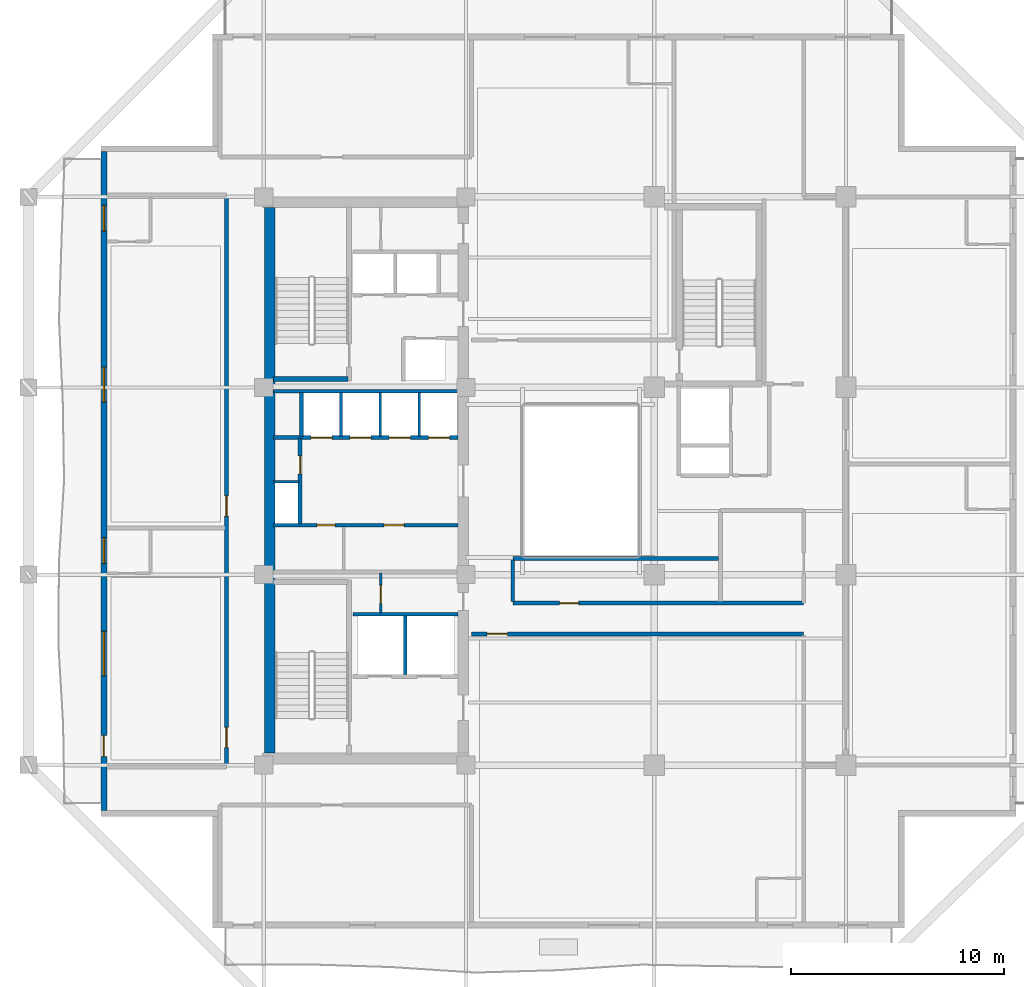
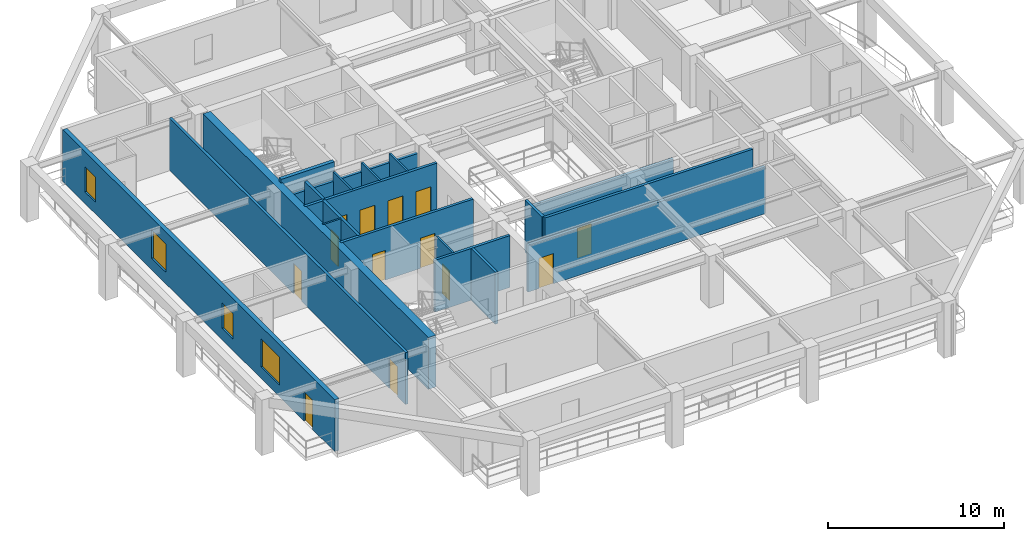
# One storey, part 3 of 12: 20 walls, 13 doors, 4 windows, 17 openings.
"""IFC4 building model written with IfcOpenShell, lengths in metres."""

from ifc_helpers import new_model, si_unit, direction, frame, frame_2d, origin, place, context, subcontext, project, spatial, rectangle, extrude, material, layer, layer_set, type_object, element, fill, save


model = new_model("IFC4")

# Units and contexts
model_context = context("Model", 3, precision=1e-05, world=origin(), true_north=direction((0.0, 1.0)))
body_context = subcontext(model_context, "Body", "Model", "MODEL_VIEW")
ifc_project = project(units=[si_unit("LENGTHUNIT", "METRE"), si_unit("AREAUNIT", "SQUARE_METRE"), si_unit("VOLUMEUNIT", "CUBIC_METRE"), si_unit("PLANEANGLEUNIT", "RADIAN"), si_unit("MASSUNIT", "GRAM", prefix="KILO")], contexts=[model_context])

# Site, building, storey
site_placement = place(None, origin())
site = spatial("IfcSite", under=ifc_project, at=site_placement, CompositionType="ELEMENT")
building_placement = place(site_placement, origin())
building = spatial("IfcBuilding", under=site, at=building_placement, Name="Kundavana Baori Tower", CompositionType="ELEMENT")
storey_placement = place(building_placement, frame((0.0, 0.0, 157.89990234375)))
storey = spatial("IfcBuildingStorey", under=building, at=storey_placement, Name="L38", CompositionType="ELEMENT", Elevation=157.89990234375)

# Walls
ifc_material_1 = material(Name="Concrete C50/60", Category="concrete")
ifc_layer_1 = layer(ifc_material_1, 0.39990234375, Name="WL-CORE-400")
ifc_layer_set_1 = layer_set([ifc_layer_1], Name="Concrete C50/60")
wall_type_1 = type_object("IfcWallType", Name="WL-CORE-400", PredefinedType="SHEAR", material=ifc_layer_set_1)
wall_1_placement = place(storey_placement, frame((15.89990234375, 33.389892578125, 0.0), z_axis=(0.0, 0.0, 1.0), x_axis=(1.0, 0.0, 0.0)))
element("IfcWall", 1, at=wall_1_placement, inside=storey, type_object=wall_type_1, Name="WL-L38-ST2-S", PredefinedType="SHEAR", context=body_context, shape_type="SweptSolid", body=[
    extrude(rectangle(XDim=3.52001953125, YDim=0.239990234375, at=frame_2d((1.760009765625, 0.0))), origin(), (0.0, 0.0, 1.0), 3.85009765625),
])
ifc_material_2 = material(Name="Concrete C50/60", Category="concrete")
ifc_layer_2 = layer(ifc_material_2, 0.5, Name="WL-CORE-500")
ifc_layer_set_2 = layer_set([ifc_layer_2], Name="Concrete C50/60")
wall_type_2 = type_object("IfcWallType", Name="WL-CORE-500", PredefinedType="SHEAR", material=ifc_layer_set_2)
wall_2_placement = place(storey_placement, frame((15.739990234375, 15.81005859375, 0.0), z_axis=(0.0, 0.0, 1.0), x_axis=(0.0, 1.0, 0.0)))
element("IfcWall", 2, at=wall_2_placement, inside=storey, type_object=wall_type_2, Name="L38 Offset Core West Shear Wall", PredefinedType="SHEAR", context=body_context, shape_type="SweptSolid", body=[
    extrude(rectangle(XDim=25.6298828125, YDim=0.5, at=frame_2d((12.81494140625, 0.0))), origin(), (0.0, 0.0, 1.0), 3.60009765625),
])

# Wall, openings, door, windows
ifc_material_3 = material(Name="Red-Buff Dholpur Sandstone Cladding on Concrete C40/50", Category="masonry")
ifc_layer_3 = layer(ifc_material_3, 0.280029296875, Name="WL-EXT-SAND-280")
ifc_layer_set_3 = layer_set([ifc_layer_3], Name="Red-Buff Dholpur Sandstone Cladding on Concrete C40/50")
wall_type_3 = type_object("IfcWallType", Name="WL-EXT-SAND-280", PredefinedType="STANDARD", material=ifc_layer_set_3)
wall_3_placement = place(storey_placement, frame((7.93994140625, 44.070068359375, 0.0), z_axis=(0.0, 0.0, 1.0), x_axis=(0.0, -1.0, 0.0)))
wall_3 = element("IfcWall", 3, at=wall_3_placement, inside=storey, type_object=wall_type_3, Name="L38 Exterior Insulated Facade Wall 10", PredefinedType="STANDARD", context=body_context, shape_type="SweptSolid", body=[
    extrude(rectangle(XDim=30.940185546875, YDim=0.280029296875, at=frame_2d((15.47021484375, 0.0))), origin(), (0.0, 0.0, 1.0), 3.60009765625),
])
opening_1_placement = place(wall_3_placement, frame((27.419921875, 0.0, 0.0)))
opening_1 = element("IfcOpeningElement", 4, at=opening_1_placement, cuts=wall_3, Name="Opening BD-1", PredefinedType="OPENING", context=body_context, shape_type="SweptSolid", body=[
    extrude(rectangle(XDim=1.0, YDim=2.050048828125, at=frame_2d((0.5, 1.02490234375))), frame((0.0, 0.14990234375, 0.0), z_axis=(0.0, -1.0, 0.0), x_axis=(1.0, 0.0, 0.0)), (0.0, 0.0, 1.0), 0.300048828125),
])
opening_2_placement = place(wall_3_placement, frame((22.530029296875, 0.0, 0.800048828125)))
opening_2 = element("IfcOpeningElement", 5, at=opening_2_placement, cuts=wall_3, Name="Opening W-05", PredefinedType="OPENING", context=body_context, shape_type="SweptSolid", body=[
    extrude(rectangle(XDim=2.10009765625, YDim=1.949951171875, at=frame_2d((1.050048828125, 0.97509765625))), frame((0.0, 0.14990234375, 0.0), z_axis=(0.0, -1.0, 0.0), x_axis=(1.0, 0.0, 0.0)), (0.0, 0.0, 1.0), 0.300048828125),
])
opening_3_placement = place(wall_3_placement, frame((18.135009765625, 0.0, 0.800048828125)))
opening_3 = element("IfcOpeningElement", 6, at=opening_3_placement, cuts=wall_3, Name="Opening W-03", PredefinedType="OPENING", context=body_context, shape_type="SweptSolid", body=[
    extrude(rectangle(XDim=1.199951171875, YDim=1.75, at=frame_2d((0.60009765625, 0.875))), frame((0.0, 0.14990234375, 0.0), z_axis=(0.0, -1.0, 0.0), x_axis=(1.0, 0.0, 0.0)), (0.0, 0.0, 1.0), 0.300048828125),
])
opening_4_placement = place(wall_3_placement, frame((10.1201171875, 0.0, 0.800048828125)))
opening_4 = element("IfcOpeningElement", 7, at=opening_4_placement, cuts=wall_3, Name="Opening W-08", PredefinedType="OPENING", context=body_context, shape_type="SweptSolid", body=[
    extrude(rectangle(XDim=1.64990234375, YDim=1.949951171875, at=frame_2d((0.824951171875, 0.97509765625))), frame((0.0, 0.14990234375, 0.0), z_axis=(0.0, -1.0, 0.0), x_axis=(1.0, 0.0, 0.0)), (0.0, 0.0, 1.0), 0.300048828125),
])
opening_5_placement = place(wall_3_placement, frame((2.52490234375, 0.0, 0.800048828125)))
opening_5 = element("IfcOpeningElement", 8, at=opening_5_placement, cuts=wall_3, Name="Opening W-03", PredefinedType="OPENING", context=body_context, shape_type="SweptSolid", body=[
    extrude(rectangle(XDim=1.199951171875, YDim=1.75, at=frame_2d((0.60009765625, 0.875))), frame((0.0, 0.14990234375, 0.0), z_axis=(0.0, -1.0, 0.0), x_axis=(1.0, 0.0, 0.0)), (0.0, 0.0, 1.0), 0.300048828125),
])
ifc_material_4 = material(Name="Architectural Patinated Bronze Metalwork")
door_type_1 = type_object("IfcDoorType", Name="DR-EXT-LOG-1000", OperationType="NOTDEFINED", PredefinedType="DOOR", material=ifc_material_4)
door_1_placement = place(opening_1_placement, frame((1.0, 0.0, 0.0), z_axis=(0.0, 0.0, 1.0), x_axis=(-1.0, 0.0, 0.0)))
door_1 = element("IfcDoor", 9, at=door_1_placement, inside=storey, type_object=door_type_1, Name="L38 Loggia Balcony Access Door W", OperationType="SINGLE_SWING_RIGHT", OverallHeight=2.050048828125, OverallWidth=1.0, PredefinedType="DOOR", context=body_context, shape_type="SweptSolid", body=[
    extrude(rectangle(XDim=1.0, YDim=2.050048828125, at=frame_2d((0.5, 1.02490234375))), frame((0.0, 0.02490234375, 0.0), z_axis=(0.0, -1.0, 0.0), x_axis=(1.0, 0.0, 0.0)), (0.0, 0.0, 1.0), 0.050048828125),
])
fill(opening_1, door_1)
ifc_material_5 = material(Name="Double-Glazed Solar-Control Low-E Insulated Glass", Category="glass")
window_type_1 = type_object("IfcWindowType", Name="WIN-LOG-1200x1750", PartitioningType="SINGLE_PANEL", PredefinedType="WINDOW", material=ifc_material_5)
window_1_placement = place(opening_3_placement, origin())
window_1 = element("IfcWindow", 10, at=window_1_placement, inside=storey, type_object=window_type_1, Name="L38 Recessed Loggia Window W-2", OverallHeight=1.75, OverallWidth=1.199951171875, PartitioningType="SINGLE_PANEL", PredefinedType="WINDOW", context=body_context, shape_type="SweptSolid", body=[
    extrude(rectangle(XDim=1.199951171875, YDim=1.75, at=frame_2d((0.60009765625, 0.875))), frame((0.0, 0.030029296875, 0.0), z_axis=(0.0, -1.0, 0.0), x_axis=(1.0, 0.0, 0.0)), (0.0, 0.0, 1.0), 0.06005859375),
])
fill(opening_3, window_1)
window_2_placement = place(opening_5_placement, origin())
window_2 = element("IfcWindow", 11, at=window_2_placement, inside=storey, type_object=window_type_1, Name="L38 Recessed Loggia Window W-4", OverallHeight=1.75, OverallWidth=1.199951171875, PartitioningType="SINGLE_PANEL", PredefinedType="WINDOW", context=body_context, shape_type="SweptSolid", body=[
    extrude(rectangle(XDim=1.199951171875, YDim=1.75, at=frame_2d((0.60009765625, 0.875))), frame((0.0, 0.030029296875, 0.0), z_axis=(0.0, -1.0, 0.0), x_axis=(1.0, 0.0, 0.0)), (0.0, 0.0, 1.0), 0.06005859375),
])
fill(opening_5, window_2)
ifc_material_6 = material(Name="Double-Glazed Solar-Control Low-E Insulated Glass", Category="glass")
window_type_2 = type_object("IfcWindowType", Name="WIN-LOG-1650x1950", PartitioningType="SINGLE_PANEL", PredefinedType="WINDOW", material=ifc_material_6)
window_3_placement = place(opening_4_placement, origin())
window_3 = element("IfcWindow", 12, at=window_3_placement, inside=storey, type_object=window_type_2, Name="L38 Recessed Loggia Window W-3", OverallHeight=1.949951171875, OverallWidth=1.64990234375, PartitioningType="SINGLE_PANEL", PredefinedType="WINDOW", context=body_context, shape_type="SweptSolid", body=[
    extrude(rectangle(XDim=1.64990234375, YDim=1.949951171875, at=frame_2d((0.824951171875, 0.97509765625))), frame((0.0, 0.030029296875, 0.0), z_axis=(0.0, -1.0, 0.0), x_axis=(1.0, 0.0, 0.0)), (0.0, 0.0, 1.0), 0.06005859375),
])
fill(opening_4, window_3)
ifc_material_7 = material(Name="Double-Glazed Solar-Control Low-E Insulated Glass", Category="glass")
window_type_3 = type_object("IfcWindowType", Name="WIN-LOG-2100x1950", PartitioningType="SINGLE_PANEL", PredefinedType="WINDOW", material=ifc_material_7)
window_4_placement = place(opening_2_placement, origin())
window_4 = element("IfcWindow", 13, at=window_4_placement, inside=storey, type_object=window_type_3, Name="L38 Recessed Loggia Window W-1", OverallHeight=1.949951171875, OverallWidth=2.10009765625, PartitioningType="SINGLE_PANEL", PredefinedType="WINDOW", context=body_context, shape_type="SweptSolid", body=[
    extrude(rectangle(XDim=2.10009765625, YDim=1.949951171875, at=frame_2d((1.050048828125, 0.97509765625))), frame((0.0, 0.030029296875, 0.0), z_axis=(0.0, -1.0, 0.0), x_axis=(1.0, 0.0, 0.0)), (0.0, 0.0, 1.0), 0.06005859375),
])
fill(opening_2, window_4)

# Wall, opening, door
ifc_material_8 = material(Name="Acoustic Gypsum Plasterboard on Galvanised Steel Studs", Category="steel")
ifc_layer_4 = layer(ifc_material_8, 0.1201171875, Name="WL-PART-120")
ifc_layer_set_4 = layer_set([ifc_layer_4], Name="Acoustic Gypsum Plasterboard on Galvanised Steel Studs")
wall_type_4 = type_object("IfcWallType", Name="WL-PART-120", PredefinedType="PARTITIONING", material=ifc_layer_set_4)
wall_4_placement = place(storey_placement, frame((20.949951171875, 22.39990234375, 0.0), z_axis=(0.0, 0.0, 1.0), x_axis=(0.0, 1.0, 0.0)))
wall_4 = element("IfcWall", 14, at=wall_4_placement, inside=storey, type_object=wall_type_4, Name="WL-L38-CSMK-D2", PredefinedType="PARTITIONING", context=body_context, shape_type="SweptSolid", body=[
    extrude(rectangle(XDim=1.880126953125, YDim=0.1201171875, at=frame_2d((0.93994140625, 0.0))), origin(), (0.0, 0.0, 1.0), 3.60009765625),
])
opening_6_placement = place(wall_4_placement, frame((0.449951171875, 0.0, 0.0)))
opening_6 = element("IfcOpeningElement", 15, at=opening_6_placement, cuts=wall_4, Name="Opening FD-085", PredefinedType="OPENING", context=body_context, shape_type="SweptSolid", body=[
    extrude(rectangle(XDim=0.85009765625, YDim=2.06005859375, at=frame_2d((0.425048828125, 1.030029296875))), frame((0.0, 0.070068359375, 0.0), z_axis=(0.0, -1.0, 0.0), x_axis=(1.0, 0.0, 0.0)), (0.0, 0.0, 1.0), 0.14013671875),
])
ifc_material_9 = material(Name="Galvanised Steel Fire-Rated Door Leaf", Category="steel")
door_type_2 = type_object("IfcDoorType", Name="DR-FD60-850", OperationType="NOTDEFINED", PredefinedType="DOOR", material=ifc_material_9)
door_2_placement = place(opening_6_placement, origin())
door_2 = element("IfcDoor", 16, at=door_2_placement, inside=storey, type_object=door_type_2, Name="DR-L38-CSMK1", OperationType="SINGLE_SWING_RIGHT", OverallHeight=2.06005859375, OverallWidth=0.85009765625, PredefinedType="DOOR", context=body_context, shape_type="SweptSolid", body=[
    extrude(rectangle(XDim=0.85009765625, YDim=2.06005859375, at=frame_2d((0.425048828125, 1.030029296875))), frame((0.0, 0.02490234375, 0.0), z_axis=(0.0, -1.0, 0.0), x_axis=(1.0, 0.0, 0.0)), (0.0, 0.0, 1.0), 0.050048828125),
])
fill(opening_6, door_2)

# Walls
wall_5_placement = place(storey_placement, frame((15.89990234375, 28.56005859375, 0.0), z_axis=(0.0, 0.0, 1.0), x_axis=(1.0, 0.0, 0.0)))
element("IfcWall", 17, at=wall_5_placement, inside=storey, type_object=wall_type_4, Name="WL-L38-RSRW-N", PredefinedType="PARTITIONING", context=body_context, shape_type="SweptSolid", body=[
    extrude(rectangle(XDim=1.2001953125, YDim=0.1201171875, at=frame_2d((0.60009765625, 0.0))), origin(), (0.0, 0.0, 1.0), 3.60009765625),
])
for number, where, z_axis, x_axis, name in (
    (18, (19.080078125, 30.699951171875, 0.0), (0.0, 0.0, 1.0), (0.0, 1.0, 0.0), "WL-L38-LPMID-D1"),
    (19, (20.919921875, 30.699951171875, 0.0), (0.0, 0.0, 1.0), (0.0, 1.0, 0.0), "WL-L38-LPMID-D2"),
    (20, (22.760009765625, 30.699951171875, 0.0), (0.0, 0.0, 1.0), (0.0, 1.0, 0.0), "WL-L38-LPMID-D3"),
):
    element("IfcWall", number, at=place(storey_placement, frame(where, z_axis=z_axis, x_axis=x_axis)), inside=storey, type_object=wall_type_4, Name=name, PredefinedType="PARTITIONING", context=body_context, shape_type="SweptSolid", body=[
        extrude(rectangle(XDim=2.050048828125, YDim=0.1201171875, at=frame_2d((1.02490234375, 0.0))), origin(), (0.0, 0.0, 1.0), 3.60009765625),
    ])

# Wall, opening, door
ifc_material_10 = material(Name="Autoclaved Aerated Concrete Blockwork Masonry", Category="masonry")
ifc_layer_5 = layer(ifc_material_10, 0.18505859375, Name="WL-PART-180")
ifc_layer_set_5 = layer_set([ifc_layer_5], Name="Autoclaved Aerated Concrete Blockwork Masonry")
wall_type_5 = type_object("IfcWallType", Name="WL-PART-180", PredefinedType="SOLIDWALL", material=ifc_layer_set_5)
wall_6_placement = place(storey_placement, frame((25.219970703125, 21.419921875, 0.0), z_axis=(0.0, 0.0, 1.0), x_axis=(1.0, 0.0, 0.0)))
wall_6 = element("IfcWall", 21, at=wall_6_placement, inside=storey, type_object=wall_type_5, Name="WL-L38-HS", PredefinedType="SOLIDWALL", context=body_context, shape_type="SweptSolid", body=[
    extrude(rectangle(XDim=15.60009765625, YDim=0.18505859375, at=frame_2d((7.800048828125, 0.0))), origin(), (0.0, 0.0, 1.0), 3.25),
])
opening_7_placement = place(wall_6_placement, frame((0.72998046875, 0.0, 0.0)))
opening_7 = element("IfcOpeningElement", 22, at=opening_7_placement, cuts=wall_6, Name="Opening FD-095", PredefinedType="OPENING", context=body_context, shape_type="SweptSolid", body=[
    extrude(rectangle(XDim=0.949951171875, YDim=2.10009765625, at=frame_2d((0.47509765625, 1.050048828125))), frame((0.0, 0.1025390625, 0.0), z_axis=(0.0, -1.0, 0.0), x_axis=(1.0, 0.0, 0.0)), (0.0, 0.0, 1.0), 0.205078125),
])
ifc_material_11 = material(Name="Engineered Teak Fire-Rated Timber Door Leaf", Category="wood")
door_type_3 = type_object("IfcDoorType", Name="DR-FD60-950", OperationType="NOTDEFINED", PredefinedType="DOOR", material=ifc_material_11)
door_3_placement = place(opening_7_placement, frame((0.949951171875, 0.0, 0.0), z_axis=(0.0, 0.0, 1.0), x_axis=(-1.0, 0.0, 0.0)))
door_3 = element("IfcDoor", 23, at=door_3_placement, inside=storey, type_object=door_type_3, Name="DR-L38-HK-S1-ENT", OperationType="SINGLE_SWING_RIGHT", OverallHeight=2.10009765625, OverallWidth=0.949951171875, PredefinedType="DOOR", context=body_context, shape_type="SweptSolid", body=[
    extrude(rectangle(XDim=0.949951171875, YDim=2.10009765625, at=frame_2d((0.47509765625, 1.050048828125))), frame((0.0, 0.02490234375, 0.0), z_axis=(0.0, -1.0, 0.0), x_axis=(1.0, 0.0, 0.0)), (0.0, 0.0, 1.0), 0.050048828125),
])
fill(opening_7, door_3)

wall_7_placement = place(storey_placement, frame((27.14990234375, 22.860107421875, 0.0), z_axis=(0.0, 0.0, 1.0), x_axis=(1.0, 0.0, 0.0)))
wall_7 = element("IfcWall", 24, at=wall_7_placement, inside=storey, type_object=wall_type_5, Name="WL-L38-HST", PredefinedType="SOLIDWALL", context=body_context, shape_type="SweptSolid", body=[
    extrude(rectangle(XDim=13.670166015625, YDim=0.18505859375, at=frame_2d((6.8349609375, 0.0))), origin(), (0.0, 0.0, 1.0), 3.60009765625),
])
opening_8_placement = place(wall_7_placement, frame((2.199951171875, 0.0, 0.0)))
opening_8 = element("IfcOpeningElement", 25, at=opening_8_placement, cuts=wall_7, Name="Opening ID-090", PredefinedType="OPENING", context=body_context, shape_type="SweptSolid", body=[
    extrude(rectangle(XDim=0.89990234375, YDim=2.080078125, at=frame_2d((0.449951171875, 1.0400390625))), frame((0.0, 0.1025390625, 0.0), z_axis=(0.0, -1.0, 0.0), x_axis=(1.0, 0.0, 0.0)), (0.0, 0.0, 1.0), 0.205078125),
])
ifc_material_12 = material(Name="Engineered Teak Solid-Core Timber Veneer", Category="wood")
door_type_4 = type_object("IfcDoorType", Name="DR-INT-900", OperationType="NOTDEFINED", PredefinedType="DOOR", material=ifc_material_12)
door_4_placement = place(opening_8_placement, origin())
door_4 = element("IfcDoor", 26, at=door_4_placement, inside=storey, type_object=door_type_4, Name="DR-L38-HPNT", OperationType="SINGLE_SWING_LEFT", OverallHeight=2.080078125, OverallWidth=0.89990234375, PredefinedType="DOOR", context=body_context, shape_type="SweptSolid", body=[
    extrude(rectangle(XDim=0.89990234375, YDim=2.080078125, at=frame_2d((0.449951171875, 1.0400390625))), frame((0.0, 0.02490234375, 0.0), z_axis=(0.0, -1.0, 0.0), x_axis=(1.0, 0.0, 0.0)), (0.0, 0.0, 1.0), 0.050048828125),
])
fill(opening_8, door_4)

# Wall, openings, doors
wall_8_placement = place(storey_placement, frame((13.699951171875, 15.159912109375, 0.0), z_axis=(0.0, 0.0, 1.0), x_axis=(0.0, 1.0, 0.0)))
wall_8 = element("IfcWall", 27, at=wall_8_placement, inside=storey, type_object=wall_type_5, Name="WL-L38-HW", PredefinedType="SOLIDWALL", context=body_context, shape_type="SweptSolid", body=[
    extrude(rectangle(XDim=26.880126953125, YDim=0.18505859375, at=frame_2d((13.43994140625, 0.0))), origin(), (0.0, 0.0, 1.0), 3.60009765625),
])
opening_9_placement = place(wall_8_placement, frame((0.909912109375, 0.0, 0.0)))
opening_9 = element("IfcOpeningElement", 28, at=opening_9_placement, cuts=wall_8, Name="Opening FD-095", PredefinedType="OPENING", context=body_context, shape_type="SweptSolid", body=[
    extrude(rectangle(XDim=0.949951171875, YDim=2.10009765625, at=frame_2d((0.47509765625, 1.050048828125))), frame((0.0, 0.1025390625, 0.0), z_axis=(0.0, -1.0, 0.0), x_axis=(1.0, 0.0, 0.0)), (0.0, 0.0, 1.0), 0.205078125),
])
opening_10_placement = place(wall_8_placement, frame((11.7900390625, 0.0, 0.0)))
opening_10 = element("IfcOpeningElement", 29, at=opening_10_placement, cuts=wall_8, Name="Opening FD-095", PredefinedType="OPENING", context=body_context, shape_type="SweptSolid", body=[
    extrude(rectangle(XDim=0.949951171875, YDim=2.10009765625, at=frame_2d((0.47509765625, 1.050048828125))), frame((0.0, 0.1025390625, 0.0), z_axis=(0.0, -1.0, 0.0), x_axis=(1.0, 0.0, 0.0)), (0.0, 0.0, 1.0), 0.205078125),
])
door_5_placement = place(opening_9_placement, origin())
door_5 = element("IfcDoor", 30, at=door_5_placement, inside=storey, type_object=door_type_3, Name="DR-L38-HK-W1-ENT", OperationType="SINGLE_SWING_LEFT", OverallHeight=2.10009765625, OverallWidth=0.949951171875, PredefinedType="DOOR", context=body_context, shape_type="SweptSolid", body=[
    extrude(rectangle(XDim=0.949951171875, YDim=2.10009765625, at=frame_2d((0.47509765625, 1.050048828125))), frame((0.0, 0.02490234375, 0.0), z_axis=(0.0, -1.0, 0.0), x_axis=(1.0, 0.0, 0.0)), (0.0, 0.0, 1.0), 0.050048828125),
])
fill(opening_9, door_5)
door_6_placement = place(opening_10_placement, origin())
door_6 = element("IfcDoor", 31, at=door_6_placement, inside=storey, type_object=door_type_3, Name="DR-L38-HK-W2-ENT", OperationType="SINGLE_SWING_LEFT", OverallHeight=2.10009765625, OverallWidth=0.949951171875, PredefinedType="DOOR", context=body_context, shape_type="SweptSolid", body=[
    extrude(rectangle(XDim=0.949951171875, YDim=2.10009765625, at=frame_2d((0.47509765625, 1.050048828125))), frame((0.0, 0.02490234375, 0.0), z_axis=(0.0, -1.0, 0.0), x_axis=(1.0, 0.0, 0.0)), (0.0, 0.0, 1.0), 0.050048828125),
])
fill(opening_10, door_6)

# Walls
wall_9_placement = place(storey_placement, frame((27.14990234375, 24.949951171875, 0.0), z_axis=(0.0, 0.0, 1.0), x_axis=(1.0, 0.0, 0.0)))
element("IfcWall", 32, at=wall_9_placement, inside=storey, type_object=wall_type_5, Name="WL-L38-HPN1", PredefinedType="SOLIDWALL", context=body_context, shape_type="SweptSolid", body=[
    extrude(rectangle(XDim=9.670166015625, YDim=0.18505859375, at=frame_2d((4.8349609375, 0.0))), origin(), (0.0, 0.0, 1.0), 3.050048828125),
])
wall_10_placement = place(storey_placement, frame((27.14990234375, 22.93994140625, 0.0), z_axis=(0.0, 0.0, 1.0), x_axis=(0.0, 1.0, 0.0)))
element("IfcWall", 33, at=wall_10_placement, inside=storey, type_object=wall_type_5, Name="WL-L38-HPN2", PredefinedType="SOLIDWALL", context=body_context, shape_type="SweptSolid", body=[
    extrude(rectangle(XDim=1.93994140625, YDim=0.18505859375, at=frame_2d((0.969970703125, 0.0))), origin(), (0.0, 0.0, 1.0), 3.60009765625),
])
ifc_material_13 = material(Name="Autoclaved Aerated Concrete Blockwork Masonry", Category="masonry")
ifc_layer_6 = layer(ifc_material_13, 0.179931640625, Name="WL-SHAFT-180")
ifc_layer_set_6 = layer_set([ifc_layer_6], Name="Autoclaved Aerated Concrete Blockwork Masonry")
wall_type_6 = type_object("IfcWallType", Name="WL-SHAFT-180", PredefinedType="SOLIDWALL", material=ifc_layer_set_6)
wall_11_placement = place(storey_placement, frame((22.10009765625, 19.510009765625, 0.0), z_axis=(0.0, 0.0, 1.0), x_axis=(0.0, 1.0, 0.0)))
element("IfcWall", 34, at=wall_11_placement, inside=storey, type_object=wall_type_6, Name="WL-L38-FFL-MID", PredefinedType="SOLIDWALL", context=body_context, shape_type="SweptSolid", body=[
    extrude(rectangle(XDim=2.739990234375, YDim=0.179931640625, at=frame_2d((1.3701171875, 0.0))), origin(), (0.0, 0.0, 1.0), 3.60009765625),
])
wall_12_placement = place(storey_placement, frame((19.639892578125, 22.340087890625, 0.0), z_axis=(0.0, 0.0, 1.0), x_axis=(1.0, 0.0, 0.0)))
element("IfcWall", 35, at=wall_12_placement, inside=storey, type_object=wall_type_6, Name="WL-L38-FFL-N", PredefinedType="SOLIDWALL", context=body_context, shape_type="SweptSolid", body=[
    extrude(rectangle(XDim=4.940185546875, YDim=0.179931640625, at=frame_2d((2.47021484375, 0.0))), origin(), (0.0, 0.0, 1.0), 3.60009765625),
])

# Wall, openings, doors
wall_13_placement = place(storey_placement, frame((15.89990234375, 26.52001953125, 0.0), z_axis=(0.0, 0.0, 1.0), x_axis=(1.0, 0.0, 0.0)))
wall_13 = element("IfcWall", 36, at=wall_13_placement, inside=storey, type_object=wall_type_6, Name="WL-L38-LPLOW-N", PredefinedType="SOLIDWALL", context=body_context, shape_type="SweptSolid", body=[
    extrude(rectangle(XDim=8.68017578125, YDim=0.179931640625, at=frame_2d((4.340087890625, 0.0))), origin(), (0.0, 0.0, 1.0), 3.60009765625),
])
opening_11_placement = place(wall_13_placement, frame((2.050048828125, 0.0, 0.0)))
opening_11 = element("IfcOpeningElement", 37, at=opening_11_placement, cuts=wall_13, Name="Opening FD-085", PredefinedType="OPENING", context=body_context, shape_type="SweptSolid", body=[
    extrude(rectangle(XDim=0.85009765625, YDim=2.06005859375, at=frame_2d((0.425048828125, 1.030029296875))), frame((0.0, 0.10009765625, 0.0), z_axis=(0.0, -1.0, 0.0), x_axis=(1.0, 0.0, 0.0)), (0.0, 0.0, 1.0), 0.199951171875),
])
opening_12_placement = place(wall_13_placement, frame((5.199951171875, 0.0, 0.0)))
opening_12 = element("IfcOpeningElement", 38, at=opening_12_placement, cuts=wall_13, Name="Opening FD-095", PredefinedType="OPENING", context=body_context, shape_type="SweptSolid", body=[
    extrude(rectangle(XDim=0.949951171875, YDim=2.10009765625, at=frame_2d((0.47509765625, 1.050048828125))), frame((0.0, 0.10009765625, 0.0), z_axis=(0.0, -1.0, 0.0), x_axis=(1.0, 0.0, 0.0)), (0.0, 0.0, 1.0), 0.199951171875),
])
door_7_placement = place(opening_11_placement, origin())
door_7 = element("IfcDoor", 39, at=door_7_placement, inside=storey, type_object=door_type_2, Name="DR-L38-FRLOW1", OperationType="SINGLE_SWING_LEFT", OverallHeight=2.06005859375, OverallWidth=0.85009765625, PredefinedType="DOOR", context=body_context, shape_type="SweptSolid", body=[
    extrude(rectangle(XDim=0.85009765625, YDim=2.06005859375, at=frame_2d((0.425048828125, 1.030029296875))), frame((0.0, 0.02490234375, 0.0), z_axis=(0.0, -1.0, 0.0), x_axis=(1.0, 0.0, 0.0)), (0.0, 0.0, 1.0), 0.050048828125),
])
fill(opening_11, door_7)
door_8_placement = place(opening_12_placement, origin())
door_8 = element("IfcDoor", 40, at=door_8_placement, inside=storey, type_object=door_type_3, Name="DR-L38-FRLOW2", OperationType="SINGLE_SWING_RIGHT", OverallHeight=2.10009765625, OverallWidth=0.949951171875, PredefinedType="DOOR", context=body_context, shape_type="SweptSolid", body=[
    extrude(rectangle(XDim=0.949951171875, YDim=2.10009765625, at=frame_2d((0.47509765625, 1.050048828125))), frame((0.0, 0.02490234375, 0.0), z_axis=(0.0, -1.0, 0.0), x_axis=(1.0, 0.0, 0.0)), (0.0, 0.0, 1.0), 0.050048828125),
])
fill(opening_12, door_8)

# Wall, opening, door
wall_14_placement = place(storey_placement, frame((17.159912109375, 26.580078125, 0.0), z_axis=(0.0, 0.0, 1.0), x_axis=(0.0, 1.0, 0.0)))
wall_14 = element("IfcWall", 41, at=wall_14_placement, inside=storey, type_object=wall_type_6, Name="WL-L38-RSRW-E", PredefinedType="SOLIDWALL", context=body_context, shape_type="SweptSolid", body=[
    extrude(rectangle(XDim=4.02001953125, YDim=0.179931640625, at=frame_2d((2.010009765625, 0.0))), origin(), (0.0, 0.0, 1.0), 3.60009765625),
])
opening_13_placement = place(wall_14_placement, frame((2.35009765625, 0.0, 0.0)))
opening_13 = element("IfcOpeningElement", 42, at=opening_13_placement, cuts=wall_14, Name="Opening FD-085", PredefinedType="OPENING", context=body_context, shape_type="SweptSolid", body=[
    extrude(rectangle(XDim=0.85009765625, YDim=2.06005859375, at=frame_2d((0.425048828125, 1.030029296875))), frame((0.0, 0.10009765625, 0.0), z_axis=(0.0, -1.0, 0.0), x_axis=(1.0, 0.0, 0.0)), (0.0, 0.0, 1.0), 0.199951171875),
])
door_9_placement = place(opening_13_placement, origin())
door_9 = element("IfcDoor", 43, at=door_9_placement, inside=storey, type_object=door_type_2, Name="DR-L38-CLN", OperationType="SINGLE_SWING_RIGHT", OverallHeight=2.06005859375, OverallWidth=0.85009765625, PredefinedType="DOOR", context=body_context, shape_type="SweptSolid", body=[
    extrude(rectangle(XDim=0.85009765625, YDim=2.06005859375, at=frame_2d((0.425048828125, 1.030029296875))), frame((0.0, 0.02490234375, 0.0), z_axis=(0.0, -1.0, 0.0), x_axis=(1.0, 0.0, 0.0)), (0.0, 0.0, 1.0), 0.050048828125),
])
fill(opening_13, door_9)

# Wall, openings, doors
wall_15_placement = place(storey_placement, frame((15.89990234375, 30.639892578125, 0.0), z_axis=(0.0, 0.0, 1.0), x_axis=(1.0, 0.0, 0.0)))
wall_15 = element("IfcWall", 44, at=wall_15_placement, inside=storey, type_object=wall_type_6, Name="WL-L38-LPMID-S", PredefinedType="SOLIDWALL", context=body_context, shape_type="SweptSolid", body=[
    extrude(rectangle(XDim=8.68017578125, YDim=0.179931640625, at=frame_2d((4.340087890625, 0.0))), origin(), (0.0, 0.0, 1.0), 3.60009765625),
])
opening_14_placement = place(wall_15_placement, frame((1.760009765625, 0.0, 0.0)))
opening_14 = element("IfcOpeningElement", 45, at=opening_14_placement, cuts=wall_15, Name="Opening LD-100", PredefinedType="OPENING", context=body_context, shape_type="SweptSolid", body=[
    extrude(rectangle(XDim=1.0, YDim=2.10009765625, at=frame_2d((0.5, 1.050048828125))), frame((0.0, 0.10009765625, 0.0), z_axis=(0.0, -1.0, 0.0), x_axis=(1.0, 0.0, 0.0)), (0.0, 0.0, 1.0), 0.199951171875),
])
opening_15_placement = place(wall_15_placement, frame((3.60009765625, 0.0, 0.0)))
opening_15 = element("IfcOpeningElement", 46, at=opening_15_placement, cuts=wall_15, Name="Opening LD-100", PredefinedType="OPENING", context=body_context, shape_type="SweptSolid", body=[
    extrude(rectangle(XDim=1.0, YDim=2.10009765625, at=frame_2d((0.5, 1.050048828125))), frame((0.0, 0.10009765625, 0.0), z_axis=(0.0, -1.0, 0.0), x_axis=(1.0, 0.0, 0.0)), (0.0, 0.0, 1.0), 0.199951171875),
])
opening_16_placement = place(wall_15_placement, frame((5.43994140625, 0.0, 0.0)))
opening_16 = element("IfcOpeningElement", 47, at=opening_16_placement, cuts=wall_15, Name="Opening LD-100", PredefinedType="OPENING", context=body_context, shape_type="SweptSolid", body=[
    extrude(rectangle(XDim=1.0, YDim=2.10009765625, at=frame_2d((0.5, 1.050048828125))), frame((0.0, 0.10009765625, 0.0), z_axis=(0.0, -1.0, 0.0), x_axis=(1.0, 0.0, 0.0)), (0.0, 0.0, 1.0), 0.199951171875),
])
opening_17_placement = place(wall_15_placement, frame((7.280029296875, 0.0, 0.0)))
opening_17 = element("IfcOpeningElement", 48, at=opening_17_placement, cuts=wall_15, Name="Opening LD-100", PredefinedType="OPENING", context=body_context, shape_type="SweptSolid", body=[
    extrude(rectangle(XDim=1.0, YDim=2.10009765625, at=frame_2d((0.5, 1.050048828125))), frame((0.0, 0.10009765625, 0.0), z_axis=(0.0, -1.0, 0.0), x_axis=(1.0, 0.0, 0.0)), (0.0, 0.0, 1.0), 0.199951171875),
])
ifc_material_14 = material(Name="Galvanised Steel Fire-Rated Door Leaf", Category="steel")
door_type_5 = type_object("IfcDoorType", Name="DR-SLIDE-LD1000", OperationType="NOTDEFINED", PredefinedType="DOOR", material=ifc_material_14)
door_10_placement = place(opening_14_placement, frame((1.0, 0.0, 0.0), z_axis=(0.0, 0.0, 1.0), x_axis=(-1.0, 0.0, 0.0)))
door_10 = element("IfcDoor", 49, at=door_10_placement, inside=storey, type_object=door_type_5, Name="DR-L38-LD-LP-05", OperationType="DOUBLE_DOOR_SLIDING", OverallHeight=2.10009765625, OverallWidth=1.0, PredefinedType="DOOR", context=body_context, shape_type="SweptSolid", body=[
    extrude(rectangle(XDim=1.0, YDim=2.10009765625, at=frame_2d((0.5, 1.050048828125))), frame((0.0, 0.02490234375, 0.0), z_axis=(0.0, -1.0, 0.0), x_axis=(1.0, 0.0, 0.0)), (0.0, 0.0, 1.0), 0.050048828125),
])
fill(opening_14, door_10)
door_11_placement = place(opening_15_placement, frame((1.0, 0.0, 0.0), z_axis=(0.0, 0.0, 1.0), x_axis=(-1.0, 0.0, 0.0)))
door_11 = element("IfcDoor", 50, at=door_11_placement, inside=storey, type_object=door_type_5, Name="DR-L38-LD-LP-06", OperationType="DOUBLE_DOOR_SLIDING", OverallHeight=2.10009765625, OverallWidth=1.0, PredefinedType="DOOR", context=body_context, shape_type="SweptSolid", body=[
    extrude(rectangle(XDim=1.0, YDim=2.10009765625, at=frame_2d((0.5, 1.050048828125))), frame((0.0, 0.02490234375, 0.0), z_axis=(0.0, -1.0, 0.0), x_axis=(1.0, 0.0, 0.0)), (0.0, 0.0, 1.0), 0.050048828125),
])
fill(opening_15, door_11)
door_12_placement = place(opening_16_placement, frame((1.0, 0.0, 0.0), z_axis=(0.0, 0.0, 1.0), x_axis=(-1.0, 0.0, 0.0)))
door_12 = element("IfcDoor", 51, at=door_12_placement, inside=storey, type_object=door_type_5, Name="DR-L38-LD-LP-07", OperationType="DOUBLE_DOOR_SLIDING", OverallHeight=2.10009765625, OverallWidth=1.0, PredefinedType="DOOR", context=body_context, shape_type="SweptSolid", body=[
    extrude(rectangle(XDim=1.0, YDim=2.10009765625, at=frame_2d((0.5, 1.050048828125))), frame((0.0, 0.02490234375, 0.0), z_axis=(0.0, -1.0, 0.0), x_axis=(1.0, 0.0, 0.0)), (0.0, 0.0, 1.0), 0.050048828125),
])
fill(opening_16, door_12)
door_13_placement = place(opening_17_placement, frame((1.0, 0.0, 0.0), z_axis=(0.0, 0.0, 1.0), x_axis=(-1.0, 0.0, 0.0)))
door_13 = element("IfcDoor", 52, at=door_13_placement, inside=storey, type_object=door_type_5, Name="DR-L38-LD-LP-08", OperationType="DOUBLE_DOOR_SLIDING", OverallHeight=2.10009765625, OverallWidth=1.0, PredefinedType="DOOR", context=body_context, shape_type="SweptSolid", body=[
    extrude(rectangle(XDim=1.0, YDim=2.10009765625, at=frame_2d((0.5, 1.050048828125))), frame((0.0, 0.02490234375, 0.0), z_axis=(0.0, -1.0, 0.0), x_axis=(1.0, 0.0, 0.0)), (0.0, 0.0, 1.0), 0.050048828125),
])
fill(opening_17, door_13)

# Walls
wall_16_placement = place(storey_placement, frame((15.89990234375, 32.820068359375, 0.0), z_axis=(0.0, 0.0, 1.0), x_axis=(1.0, 0.0, 0.0)))
element("IfcWall", 53, at=wall_16_placement, inside=storey, type_object=wall_type_6, Name="WL-L38-LPMID-N", PredefinedType="SOLIDWALL", context=body_context, shape_type="SweptSolid", body=[
    extrude(rectangle(XDim=8.68017578125, YDim=0.179931640625, at=frame_2d((4.340087890625, 0.0))), origin(), (0.0, 0.0, 1.0), 2.9501953125),
])
wall_17_placement = place(storey_placement, frame((17.219970703125, 30.699951171875, 0.0), z_axis=(0.0, 0.0, 1.0), x_axis=(0.0, 1.0, 0.0)))
element("IfcWall", 54, at=wall_17_placement, inside=storey, type_object=wall_type_6, Name="WL-L38-LPMID-W", PredefinedType="SOLIDWALL", context=body_context, shape_type="SweptSolid", body=[
    extrude(rectangle(XDim=2.050048828125, YDim=0.179931640625, at=frame_2d((1.02490234375, 0.0))), origin(), (0.0, 0.0, 1.0), 3.60009765625),
])

save(model, "model.ifc")
